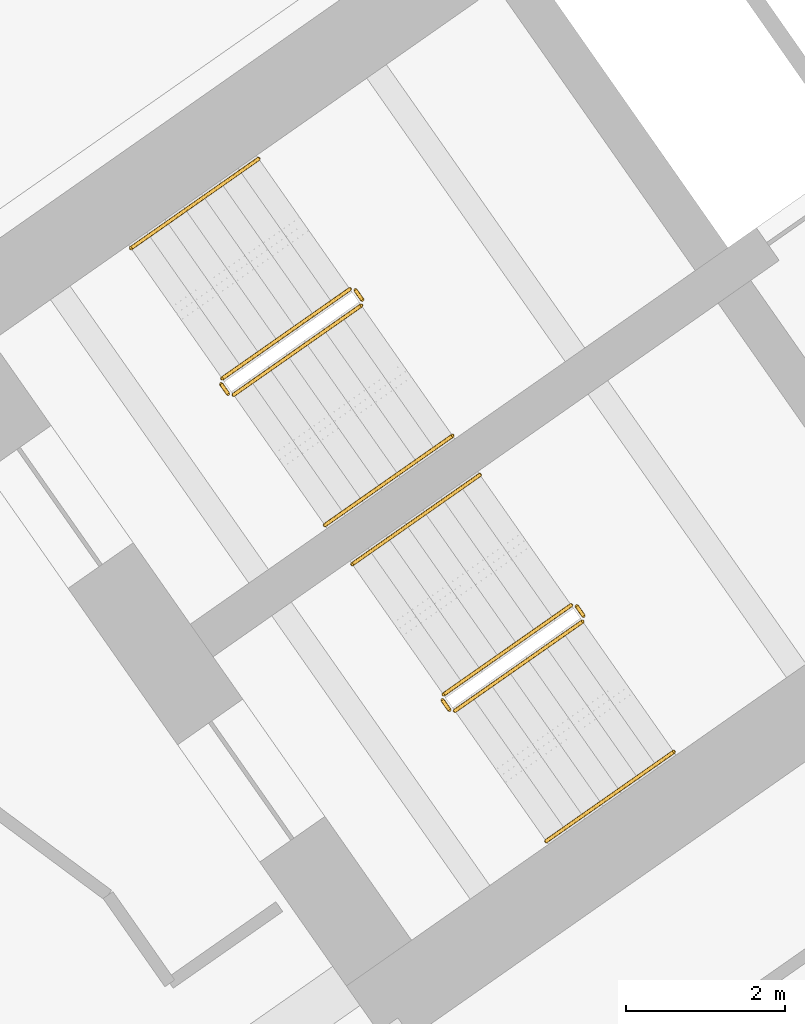
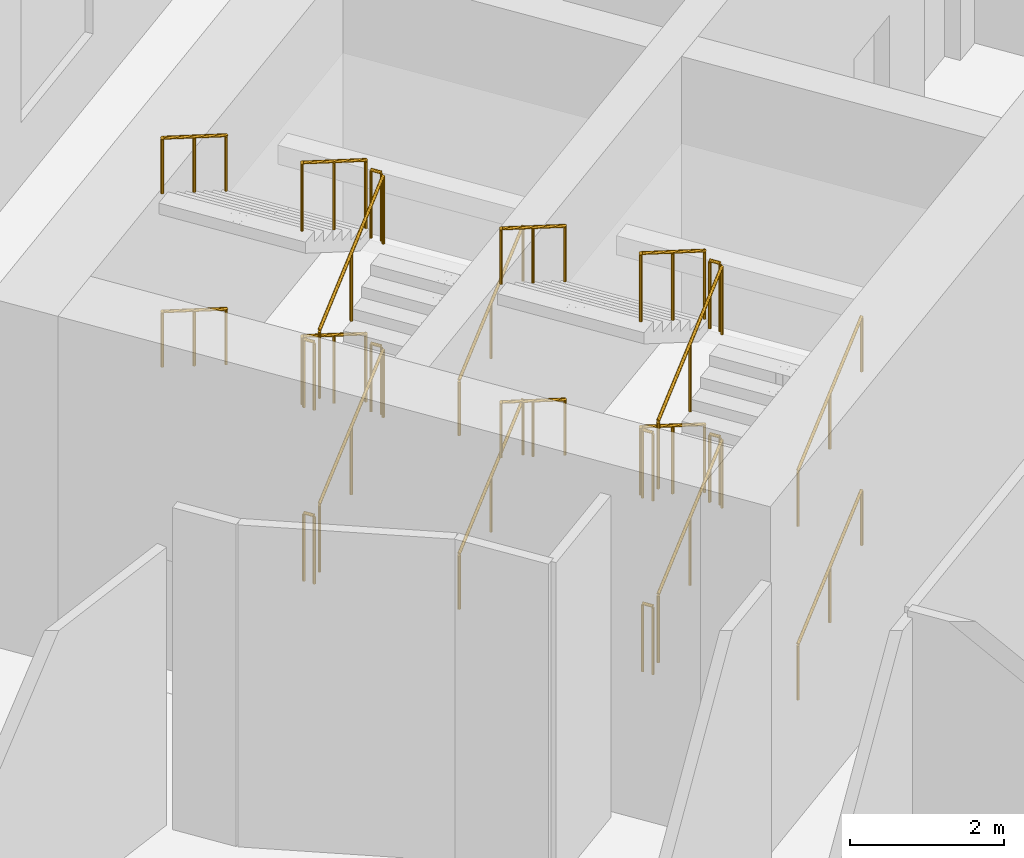
# One storey, part 14 of 15: 24 railings.
"""IFC4 building model written with IfcOpenShell, lengths in metres."""

from ifc_helpers import new_model, si_unit, direction, frame, origin, origin_2d, place, context, subcontext, project, spatial, circle, extrude, material, type_object, element, save


model = new_model("IFC4")

# Units and contexts
model_context = context("Model", 3, precision=1e-05, world=origin(), true_north=direction((0.0, 1.0)))
body_context = subcontext(model_context, "Body", "Model", "MODEL_VIEW")
ifc_project = project(units=[si_unit("LENGTHUNIT", "METRE"), si_unit("AREAUNIT", "SQUARE_METRE"), si_unit("VOLUMEUNIT", "CUBIC_METRE"), si_unit("PLANEANGLEUNIT", "RADIAN"), si_unit("MASSUNIT", "GRAM", prefix="KILO")], contexts=[model_context])

# Site, building, storey
site_placement = place(None, origin())
site = spatial("IfcSite", under=ifc_project, at=site_placement, CompositionType="ELEMENT")
building_placement = place(site_placement, origin())
building = spatial("IfcBuilding", under=site, at=building_placement, Name="Tel Ilan Convention Tower", CompositionType="ELEMENT")
storey_placement = place(building_placement, frame((0.0, 0.0, 43.0)))
storey = spatial("IfcBuildingStorey", under=building, at=storey_placement, Name="L06", CompositionType="ELEMENT", Elevation=43.0)

# Railings
ifc_material_1 = material(Name="Stainless Steel Grade 316", Category="steel")
railing_type_1 = type_object("IfcRailingType", Name="Stainless Steel Stair Guard 1100 mm", PredefinedType="GUARDRAIL", material=ifc_material_1)
railing_1_placement = place(storey_placement, frame((-23.535400390625, -8.056396484375, 0.171875)))
element("IfcRailing", 1, at=railing_1_placement, inside=storey, type_object=railing_type_1, Name="L06 S1 stair guard 1", PredefinedType="GUARDRAIL", context=body_context, shape_type="SweptSolid", body=[
    extrude(circle(Radius=0.02392578125, at=origin_2d()), frame((0.0, 0.0, 1.076171875), z_axis=(0.698094737943, 0.488857400886, 0.523146421621), x_axis=(-0.573612813533, 0.819126571508, 0.0)), (0.0, 0.0, 1.0), 2.2998046875),
    extrude(circle(Radius=0.02099609375, at=origin_2d()), origin(), (0.0, 0.0, 1.0), 1.052001953125),
    extrude(circle(Radius=0.02099609375, at=origin_2d()), frame((0.802734375, 0.56201171875, 0.6015625)), (0.0, 0.0, 1.0), 1.052001953125),
    extrude(circle(Radius=0.02099609375, at=origin_2d()), frame((1.60546875, 1.124267578125, 1.203125)), (0.0, 0.0, 1.0), 1.052001953125),
])
railing_2_placement = place(storey_placement, frame((-21.91748046875, -6.862548828125, 1.375)))
element("IfcRailing", 2, at=railing_2_placement, inside=storey, type_object=railing_type_1, Name="L06 S1 stair guard 2", PredefinedType="GUARDRAIL", context=body_context, shape_type="SweptSolid", body=[
    extrude(circle(Radius=0.02392578125, at=origin_2d()), frame((0.0, 0.0, 1.076171875), z_axis=(-0.57368046593, 0.819079192149, 0.0), x_axis=(-0.819079192149, -0.57368046593, 0.0)), (0.0, 0.0, 1.0), 0.150146484375),
    extrude(circle(Radius=0.02099609375, at=origin_2d()), origin(), (0.0, 0.0, 1.0), 1.052001953125),
    extrude(circle(Radius=0.02099609375, at=origin_2d()), frame((-0.086181640625, 0.123046875, 0.0)), (0.0, 0.0, 1.0), 1.052001953125),
])
railing_3_placement = place(storey_placement, frame((-22.0732421875, -6.727294921875, 1.546875)))
element("IfcRailing", 3, at=railing_3_placement, inside=storey, type_object=railing_type_1, Name="L06 S1 stair guard 3", PredefinedType="GUARDRAIL", context=body_context, shape_type="SweptSolid", body=[
    extrude(circle(Radius=0.02392578125, at=origin_2d()), frame((0.0, 0.0, 1.076171875), z_axis=(-0.698094737943, -0.488857400886, 0.523146421621), x_axis=(0.573612813533, -0.819126571508, 0.0)), (0.0, 0.0, 1.0), 2.2998046875),
    extrude(circle(Radius=0.02099609375, at=origin_2d()), origin(), (0.0, 0.0, 1.0), 1.052001953125),
    extrude(circle(Radius=0.02099609375, at=origin_2d()), frame((-0.802734375, -0.56201171875, 0.6015625)), (0.0, 0.0, 1.0), 1.052001953125),
    extrude(circle(Radius=0.02099609375, at=origin_2d()), frame((-1.60546875, -1.124267578125, 1.203125)), (0.0, 0.0, 1.0), 1.052001953125),
])
railing_4_placement = place(storey_placement, frame((-23.60498046875, -8.0439453125, 2.75)))
element("IfcRailing", 4, at=railing_4_placement, inside=storey, type_object=railing_type_1, Name="L06 S1 stair guard 4", PredefinedType="GUARDRAIL", context=body_context, shape_type="SweptSolid", body=[
    extrude(circle(Radius=0.02392578125, at=origin_2d()), frame((0.0, 0.0, 1.076171875), z_axis=(-0.574444878118, 0.818543268254, 0.0), x_axis=(-0.818543268254, -0.574444878118, 0.0)), (0.0, 0.0, 1.0), 0.150146484375),
    extrude(circle(Radius=0.02099609375, at=origin_2d()), origin(), (0.0, 0.0, 1.0), 1.052001953125),
    extrude(circle(Radius=0.02099609375, at=origin_2d()), frame((-0.086181640625, 0.122802734375, 0.0)), (0.0, 0.0, 1.0), 1.052001953125),
])
railing_5_placement = place(storey_placement, frame((-23.535400390625, -8.056396484375, 2.921875)))
element("IfcRailing", 5, at=railing_5_placement, inside=storey, type_object=railing_type_1, Name="L06 S1 stair guard 5", PredefinedType="GUARDRAIL", context=body_context, shape_type="SweptSolid", body=[
    extrude(circle(Radius=0.02392578125, at=origin_2d()), frame((0.0, 0.0, 1.076171875), z_axis=(0.698094737943, 0.488857400886, 0.523146421621), x_axis=(-0.573612813533, 0.819126571508, 0.0)), (0.0, 0.0, 1.0), 2.2998046875),
    extrude(circle(Radius=0.02099609375, at=origin_2d()), origin(), (0.0, 0.0, 1.0), 1.052001953125),
    extrude(circle(Radius=0.02099609375, at=origin_2d()), frame((0.802734375, 0.56201171875, 0.6015625)), (0.0, 0.0, 1.0), 1.052001953125),
    extrude(circle(Radius=0.02099609375, at=origin_2d()), frame((1.60546875, 1.124267578125, 1.203125)), (0.0, 0.0, 1.0), 1.052001953125),
])
railing_6_placement = place(storey_placement, frame((-21.91748046875, -6.862548828125, 4.125)))
element("IfcRailing", 6, at=railing_6_placement, inside=storey, type_object=railing_type_1, Name="L06 S1 stair guard 6", PredefinedType="GUARDRAIL", context=body_context, shape_type="SweptSolid", body=[
    extrude(circle(Radius=0.02392578125, at=origin_2d()), frame((0.0, 0.0, 1.076171875), z_axis=(-0.57368046593, 0.819079192149, 0.0), x_axis=(-0.819079192149, -0.57368046593, 0.0)), (0.0, 0.0, 1.0), 0.150146484375),
    extrude(circle(Radius=0.02099609375, at=origin_2d()), origin(), (0.0, 0.0, 1.0), 1.052001953125),
    extrude(circle(Radius=0.02099609375, at=origin_2d()), frame((-0.086181640625, 0.123046875, 0.0)), (0.0, 0.0, 1.0), 1.052001953125),
])
railing_7_placement = place(storey_placement, frame((-22.0732421875, -6.727294921875, 4.296875)))
element("IfcRailing", 7, at=railing_7_placement, inside=storey, type_object=railing_type_1, Name="L06 S1 stair guard 7", PredefinedType="GUARDRAIL", context=body_context, shape_type="SweptSolid", body=[
    extrude(circle(Radius=0.02392578125, at=origin_2d()), frame((0.0, 0.0, 1.076171875), z_axis=(-0.698094737943, -0.488857400886, 0.523146421621), x_axis=(0.573612813533, -0.819126571508, 0.0)), (0.0, 0.0, 1.0), 2.2998046875),
    extrude(circle(Radius=0.02099609375, at=origin_2d()), origin(), (0.0, 0.0, 1.0), 1.052001953125),
    extrude(circle(Radius=0.02099609375, at=origin_2d()), frame((-0.802734375, -0.56201171875, 0.6015625)), (0.0, 0.0, 1.0), 1.052001953125),
    extrude(circle(Radius=0.02099609375, at=origin_2d()), frame((-1.60546875, -1.124267578125, 1.203125)), (0.0, 0.0, 1.0), 1.052001953125),
])
railing_8_placement = place(storey_placement, frame((-23.60498046875, -8.0439453125, 0.0)))
element("IfcRailing", 8, at=railing_8_placement, inside=storey, type_object=railing_type_1, Name="L06 S1 stair guard 8", PredefinedType="GUARDRAIL", context=body_context, shape_type="SweptSolid", body=[
    extrude(circle(Radius=0.02392578125, at=origin_2d()), frame((0.0, 0.0, 1.076171875), z_axis=(-0.574444878118, 0.818543268254, 0.0), x_axis=(-0.818543268254, -0.574444878118, 0.0)), (0.0, 0.0, 1.0), 0.150146484375),
    extrude(circle(Radius=0.02099609375, at=origin_2d()), origin(), (0.0, 0.0, 1.0), 1.052001953125),
    extrude(circle(Radius=0.02099609375, at=origin_2d()), frame((-0.086181640625, 0.122802734375, 0.0)), (0.0, 0.0, 1.0), 1.052001953125),
])
railing_9_placement = place(storey_placement, frame((-20.753662109375, -12.029296875, 0.171875)))
element("IfcRailing", 9, at=railing_9_placement, inside=storey, type_object=railing_type_1, Name="L06 S2 stair guard 1", PredefinedType="GUARDRAIL", context=body_context, shape_type="SweptSolid", body=[
    extrude(circle(Radius=0.02392578125, at=origin_2d()), frame((0.0, 0.0, 1.076171875), z_axis=(0.698149155229, 0.488821173762, 0.523107653485), x_axis=(-0.573554290663, 0.819167550421, 0.0)), (0.0, 0.0, 1.0), 2.300048828125),
    extrude(circle(Radius=0.02099609375, at=origin_2d()), origin(), (0.0, 0.0, 1.0), 1.052001953125),
    extrude(circle(Radius=0.02099609375, at=origin_2d()), frame((0.802734375, 0.56201171875, 0.6015625)), (0.0, 0.0, 1.0), 1.052001953125),
    extrude(circle(Radius=0.02099609375, at=origin_2d()), frame((1.605712890625, 1.124267578125, 1.203125)), (0.0, 0.0, 1.0), 1.052001953125),
])
railing_10_placement = place(storey_placement, frame((-19.1357421875, -10.83544921875, 1.375)))
element("IfcRailing", 10, at=railing_10_placement, inside=storey, type_object=railing_type_1, Name="L06 S2 stair guard 2", PredefinedType="GUARDRAIL", context=body_context, shape_type="SweptSolid", body=[
    extrude(circle(Radius=0.02392578125, at=origin_2d()), frame((0.0, 0.0, 1.076171875), z_axis=(-0.572588637393, 0.819842821722, 0.0), x_axis=(-0.819842821722, -0.572588637393, 0.0)), (0.0, 0.0, 1.0), 0.150146484375),
    extrude(circle(Radius=0.02099609375, at=origin_2d()), origin(), (0.0, 0.0, 1.0), 1.052001953125),
    extrude(circle(Radius=0.02099609375, at=origin_2d()), frame((-0.0859375, 0.123046875, 0.0)), (0.0, 0.0, 1.0), 1.052001953125),
])
railing_11_placement = place(storey_placement, frame((-19.29150390625, -10.7001953125, 1.546875)))
element("IfcRailing", 11, at=railing_11_placement, inside=storey, type_object=railing_type_1, Name="L06 S2 stair guard 3", PredefinedType="GUARDRAIL", context=body_context, shape_type="SweptSolid", body=[
    extrude(circle(Radius=0.02392578125, at=origin_2d()), frame((0.0, 0.0, 1.076171875), z_axis=(-0.698094737943, -0.488857400886, 0.523146421621), x_axis=(0.573612813533, -0.819126571508, 0.0)), (0.0, 0.0, 1.0), 2.2998046875),
    extrude(circle(Radius=0.02099609375, at=origin_2d()), origin(), (0.0, 0.0, 1.0), 1.052001953125),
    extrude(circle(Radius=0.02099609375, at=origin_2d()), frame((-0.802734375, -0.56201171875, 0.6015625)), (0.0, 0.0, 1.0), 1.052001953125),
    extrude(circle(Radius=0.02099609375, at=origin_2d()), frame((-1.60546875, -1.124267578125, 1.203125)), (0.0, 0.0, 1.0), 1.052001953125),
])
railing_12_placement = place(storey_placement, frame((-20.8232421875, -12.016845703125, 2.75)))
element("IfcRailing", 12, at=railing_12_placement, inside=storey, type_object=railing_type_1, Name="L06 S2 stair guard 4", PredefinedType="GUARDRAIL", context=body_context, shape_type="SweptSolid", body=[
    extrude(circle(Radius=0.02392578125, at=origin_2d()), frame((0.0, 0.0, 1.076171875), z_axis=(-0.573353020881, 0.819308436089, 0.0), x_axis=(-0.819308436089, -0.573353020881, 0.0)), (0.0, 0.0, 1.0), 0.14990234375),
    extrude(circle(Radius=0.02099609375, at=origin_2d()), origin(), (0.0, 0.0, 1.0), 1.052001953125),
    extrude(circle(Radius=0.02099609375, at=origin_2d()), frame((-0.0859375, 0.122802734375, 0.0)), (0.0, 0.0, 1.0), 1.052001953125),
])
railing_13_placement = place(storey_placement, frame((-20.753662109375, -12.029296875, 2.921875)))
element("IfcRailing", 13, at=railing_13_placement, inside=storey, type_object=railing_type_1, Name="L06 S2 stair guard 5", PredefinedType="GUARDRAIL", context=body_context, shape_type="SweptSolid", body=[
    extrude(circle(Radius=0.02392578125, at=origin_2d()), frame((0.0, 0.0, 1.076171875), z_axis=(0.698149155229, 0.488821173762, 0.523107653485), x_axis=(-0.573554290663, 0.819167550421, 0.0)), (0.0, 0.0, 1.0), 2.300048828125),
    extrude(circle(Radius=0.02099609375, at=origin_2d()), origin(), (0.0, 0.0, 1.0), 1.052001953125),
    extrude(circle(Radius=0.02099609375, at=origin_2d()), frame((0.802734375, 0.56201171875, 0.6015625)), (0.0, 0.0, 1.0), 1.052001953125),
    extrude(circle(Radius=0.02099609375, at=origin_2d()), frame((1.605712890625, 1.124267578125, 1.203125)), (0.0, 0.0, 1.0), 1.052001953125),
])
railing_14_placement = place(storey_placement, frame((-19.1357421875, -10.83544921875, 4.125)))
element("IfcRailing", 14, at=railing_14_placement, inside=storey, type_object=railing_type_1, Name="L06 S2 stair guard 6", PredefinedType="GUARDRAIL", context=body_context, shape_type="SweptSolid", body=[
    extrude(circle(Radius=0.02392578125, at=origin_2d()), frame((0.0, 0.0, 1.076171875), z_axis=(-0.572588637393, 0.819842821722, 0.0), x_axis=(-0.819842821722, -0.572588637393, 0.0)), (0.0, 0.0, 1.0), 0.150146484375),
    extrude(circle(Radius=0.02099609375, at=origin_2d()), origin(), (0.0, 0.0, 1.0), 1.052001953125),
    extrude(circle(Radius=0.02099609375, at=origin_2d()), frame((-0.0859375, 0.123046875, 0.0)), (0.0, 0.0, 1.0), 1.052001953125),
])
railing_15_placement = place(storey_placement, frame((-19.29150390625, -10.7001953125, 4.296875)))
element("IfcRailing", 15, at=railing_15_placement, inside=storey, type_object=railing_type_1, Name="L06 S2 stair guard 7", PredefinedType="GUARDRAIL", context=body_context, shape_type="SweptSolid", body=[
    extrude(circle(Radius=0.02392578125, at=origin_2d()), frame((0.0, 0.0, 1.076171875), z_axis=(-0.698094737943, -0.488857400886, 0.523146421621), x_axis=(0.573612813533, -0.819126571508, 0.0)), (0.0, 0.0, 1.0), 2.2998046875),
    extrude(circle(Radius=0.02099609375, at=origin_2d()), origin(), (0.0, 0.0, 1.0), 1.052001953125),
    extrude(circle(Radius=0.02099609375, at=origin_2d()), frame((-0.802734375, -0.56201171875, 0.6015625)), (0.0, 0.0, 1.0), 1.052001953125),
    extrude(circle(Radius=0.02099609375, at=origin_2d()), frame((-1.60546875, -1.124267578125, 1.203125)), (0.0, 0.0, 1.0), 1.052001953125),
])
railing_16_placement = place(storey_placement, frame((-20.8232421875, -12.016845703125, 0.0)))
element("IfcRailing", 16, at=railing_16_placement, inside=storey, type_object=railing_type_1, Name="L06 S2 stair guard 8", PredefinedType="GUARDRAIL", context=body_context, shape_type="SweptSolid", body=[
    extrude(circle(Radius=0.02392578125, at=origin_2d()), frame((0.0, 0.0, 1.076171875), z_axis=(-0.573353020881, 0.819308436089, 0.0), x_axis=(-0.819308436089, -0.573353020881, 0.0)), (0.0, 0.0, 1.0), 0.14990234375),
    extrude(circle(Radius=0.02099609375, at=origin_2d()), origin(), (0.0, 0.0, 1.0), 1.052001953125),
    extrude(circle(Radius=0.02099609375, at=origin_2d()), frame((-0.0859375, 0.122802734375, 0.0)), (0.0, 0.0, 1.0), 1.052001953125),
])
ifc_material_2 = material(Name="Stainless Steel Grade 316", Category="steel")
railing_type_2 = type_object("IfcRailingType", Name="Stainless Steel Stair Handrail 900 mm", PredefinedType="HANDRAIL", material=ifc_material_2)
railing_17_placement = place(storey_placement, frame((-22.38818359375, -9.694580078125, 0.171875)))
element("IfcRailing", 17, at=railing_17_placement, inside=storey, type_object=railing_type_2, Name="L06 S1 stair handrail 1", PredefinedType="HANDRAIL", context=body_context, shape_type="SweptSolid", body=[
    extrude(circle(Radius=0.02392578125, at=origin_2d()), frame((0.0, 0.0, 0.8759765625), z_axis=(0.698094737943, 0.488857400886, 0.523146421621), x_axis=(-0.573612813533, 0.819126571508, 0.0)), (0.0, 0.0, 1.0), 2.2998046875),
    extrude(circle(Radius=0.02099609375, at=origin_2d()), origin(), (0.0, 0.0, 1.0), 0.851806640625),
    extrude(circle(Radius=0.02099609375, at=origin_2d()), frame((0.802734375, 0.56201171875, 0.6015625)), (0.0, 0.0, 1.0), 0.851806640625),
    extrude(circle(Radius=0.02099609375, at=origin_2d()), frame((1.60546875, 1.124267578125, 1.203125)), (0.0, 0.0, 1.0), 0.851806640625),
])
railing_18_placement = place(storey_placement, frame((-23.220458984375, -5.089111328125, 1.546875)))
element("IfcRailing", 18, at=railing_18_placement, inside=storey, type_object=railing_type_2, Name="L06 S1 stair handrail 2", PredefinedType="HANDRAIL", context=body_context, shape_type="SweptSolid", body=[
    extrude(circle(Radius=0.02392578125, at=origin_2d()), frame((0.0, 0.0, 0.8759765625), z_axis=(-0.698130965226, -0.488776606433, 0.523173570048), x_axis=(0.573529226717, -0.819185098803, 0.0)), (0.0, 0.0, 1.0), 2.299560546875),
    extrude(circle(Radius=0.02099609375, at=origin_2d()), origin(), (0.0, 0.0, 1.0), 0.851806640625),
    extrude(circle(Radius=0.02099609375, at=origin_2d()), frame((-0.802734375, -0.56201171875, 0.6015625)), (0.0, 0.0, 1.0), 0.851806640625),
    extrude(circle(Radius=0.02099609375, at=origin_2d()), frame((-1.60546875, -1.1240234375, 1.203125)), (0.0, 0.0, 1.0), 0.851806640625),
])
railing_19_placement = place(storey_placement, frame((-22.38818359375, -9.694580078125, 2.921875)))
element("IfcRailing", 19, at=railing_19_placement, inside=storey, type_object=railing_type_2, Name="L06 S1 stair handrail 3", PredefinedType="HANDRAIL", context=body_context, shape_type="SweptSolid", body=[
    extrude(circle(Radius=0.02392578125, at=origin_2d()), frame((0.0, 0.0, 0.8759765625), z_axis=(0.698094737943, 0.488857400886, 0.523146421621), x_axis=(-0.573612813533, 0.819126571508, 0.0)), (0.0, 0.0, 1.0), 2.2998046875),
    extrude(circle(Radius=0.02099609375, at=origin_2d()), origin(), (0.0, 0.0, 1.0), 0.851806640625),
    extrude(circle(Radius=0.02099609375, at=origin_2d()), frame((0.802734375, 0.56201171875, 0.6015625)), (0.0, 0.0, 1.0), 0.851806640625),
    extrude(circle(Radius=0.02099609375, at=origin_2d()), frame((1.60546875, 1.124267578125, 1.203125)), (0.0, 0.0, 1.0), 0.851806640625),
])
railing_20_placement = place(storey_placement, frame((-23.220458984375, -5.089111328125, 4.296875)))
element("IfcRailing", 20, at=railing_20_placement, inside=storey, type_object=railing_type_2, Name="L06 S1 stair handrail 4", PredefinedType="HANDRAIL", context=body_context, shape_type="SweptSolid", body=[
    extrude(circle(Radius=0.02392578125, at=origin_2d()), frame((0.0, 0.0, 0.8759765625), z_axis=(-0.698130965226, -0.488776606433, 0.523173570048), x_axis=(0.573529226717, -0.819185098803, 0.0)), (0.0, 0.0, 1.0), 2.299560546875),
    extrude(circle(Radius=0.02099609375, at=origin_2d()), origin(), (0.0, 0.0, 1.0), 0.851806640625),
    extrude(circle(Radius=0.02099609375, at=origin_2d()), frame((-0.802734375, -0.56201171875, 0.6015625)), (0.0, 0.0, 1.0), 0.851806640625),
    extrude(circle(Radius=0.02099609375, at=origin_2d()), frame((-1.60546875, -1.1240234375, 1.203125)), (0.0, 0.0, 1.0), 0.851806640625),
])
railing_21_placement = place(storey_placement, frame((-19.6064453125, -13.66748046875, 0.171875)))
element("IfcRailing", 21, at=railing_21_placement, inside=storey, type_object=railing_type_2, Name="L06 S2 stair handrail 1", PredefinedType="HANDRAIL", context=body_context, shape_type="SweptSolid", body=[
    extrude(circle(Radius=0.02392578125, at=origin_2d()), frame((0.0, 0.0, 0.8759765625), z_axis=(0.698094737943, 0.488857400886, 0.523146421621), x_axis=(-0.573612813533, 0.819126571508, 0.0)), (0.0, 0.0, 1.0), 2.2998046875),
    extrude(circle(Radius=0.02099609375, at=origin_2d()), origin(), (0.0, 0.0, 1.0), 0.851806640625),
    extrude(circle(Radius=0.02099609375, at=origin_2d()), frame((0.802734375, 0.56201171875, 0.6015625)), (0.0, 0.0, 1.0), 0.851806640625),
    extrude(circle(Radius=0.02099609375, at=origin_2d()), frame((1.60546875, 1.124267578125, 1.203125)), (0.0, 0.0, 1.0), 0.851806640625),
])
railing_22_placement = place(storey_placement, frame((-20.4384765625, -9.06201171875, 1.546875)))
element("IfcRailing", 22, at=railing_22_placement, inside=storey, type_object=railing_type_2, Name="L06 S2 stair handrail 2", PredefinedType="HANDRAIL", context=body_context, shape_type="SweptSolid", body=[
    extrude(circle(Radius=0.02392578125, at=origin_2d()), frame((0.0, 0.0, 0.8759765625), z_axis=(-0.698185379967, -0.488740381537, 0.523134795876), x_axis=(0.573470704013, -0.8192260687, 0.0)), (0.0, 0.0, 1.0), 2.2998046875),
    extrude(circle(Radius=0.02099609375, at=origin_2d()), origin(), (0.0, 0.0, 1.0), 0.851806640625),
    extrude(circle(Radius=0.02099609375, at=origin_2d()), frame((-0.802734375, -0.56201171875, 0.6015625)), (0.0, 0.0, 1.0), 0.851806640625),
    extrude(circle(Radius=0.02099609375, at=origin_2d()), frame((-1.605712890625, -1.1240234375, 1.203125)), (0.0, 0.0, 1.0), 0.851806640625),
])
railing_23_placement = place(storey_placement, frame((-19.6064453125, -13.66748046875, 2.921875)))
element("IfcRailing", 23, at=railing_23_placement, inside=storey, type_object=railing_type_2, Name="L06 S2 stair handrail 3", PredefinedType="HANDRAIL", context=body_context, shape_type="SweptSolid", body=[
    extrude(circle(Radius=0.02392578125, at=origin_2d()), frame((0.0, 0.0, 0.8759765625), z_axis=(0.698094737943, 0.488857400886, 0.523146421621), x_axis=(-0.573612813533, 0.819126571508, 0.0)), (0.0, 0.0, 1.0), 2.2998046875),
    extrude(circle(Radius=0.02099609375, at=origin_2d()), origin(), (0.0, 0.0, 1.0), 0.851806640625),
    extrude(circle(Radius=0.02099609375, at=origin_2d()), frame((0.802734375, 0.56201171875, 0.6015625)), (0.0, 0.0, 1.0), 0.851806640625),
    extrude(circle(Radius=0.02099609375, at=origin_2d()), frame((1.60546875, 1.124267578125, 1.203125)), (0.0, 0.0, 1.0), 0.851806640625),
])
railing_24_placement = place(storey_placement, frame((-20.4384765625, -9.06201171875, 4.296875)))
element("IfcRailing", 24, at=railing_24_placement, inside=storey, type_object=railing_type_2, Name="L06 S2 stair handrail 4", PredefinedType="HANDRAIL", context=body_context, shape_type="SweptSolid", body=[
    extrude(circle(Radius=0.02392578125, at=origin_2d()), frame((0.0, 0.0, 0.8759765625), z_axis=(-0.698185379967, -0.488740381537, 0.523134795876), x_axis=(0.573470704013, -0.8192260687, 0.0)), (0.0, 0.0, 1.0), 2.2998046875),
    extrude(circle(Radius=0.02099609375, at=origin_2d()), origin(), (0.0, 0.0, 1.0), 0.851806640625),
    extrude(circle(Radius=0.02099609375, at=origin_2d()), frame((-0.802734375, -0.56201171875, 0.6015625)), (0.0, 0.0, 1.0), 0.851806640625),
    extrude(circle(Radius=0.02099609375, at=origin_2d()), frame((-1.605712890625, -1.1240234375, 1.203125)), (0.0, 0.0, 1.0), 0.851806640625),
])

save(model, "model.ifc")
